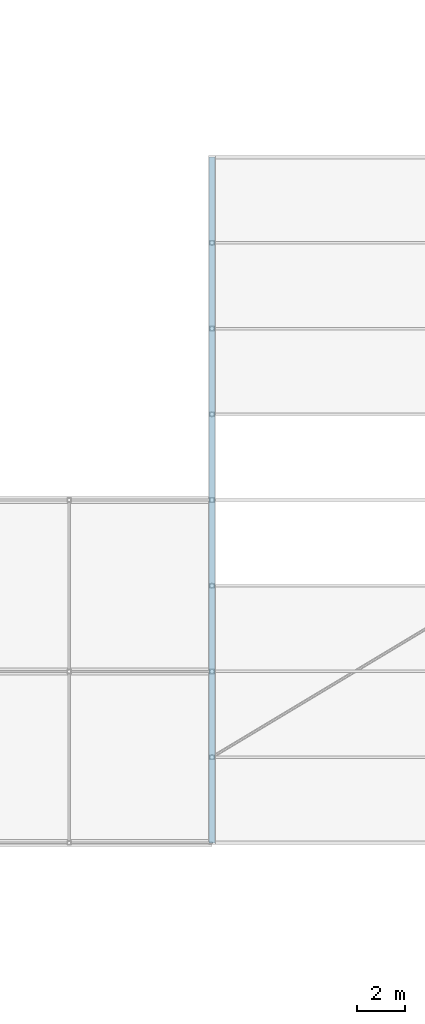
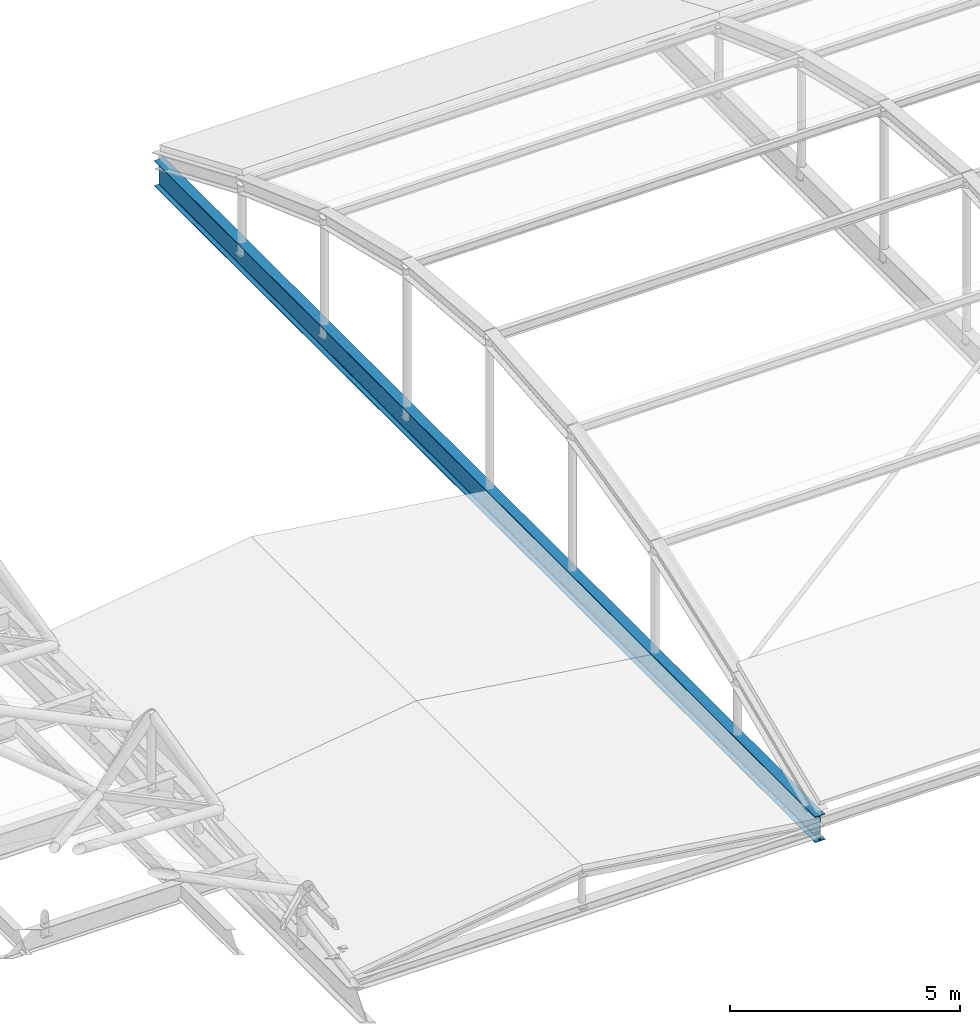
# One storey, part 147 of 239: 1 beam.
"""IFC4 building model written with IfcOpenShell, lengths in metres."""

from ifc_helpers import new_model, si_unit, direction, frame, origin, origin_2d, place, context, subcontext, project, spatial, i_section, extrude, material, material_profile, profile_set, type_object, element, save


model = new_model("IFC4")

# Units and contexts
model_context = context("Model", 3, precision=1e-05, world=origin(), true_north=direction((0.0, 1.0)))
body_context = subcontext(model_context, "Body", "Model", "MODEL_VIEW")
ifc_project = project(units=[si_unit("LENGTHUNIT", "METRE"), si_unit("AREAUNIT", "SQUARE_METRE"), si_unit("VOLUMEUNIT", "CUBIC_METRE"), si_unit("PLANEANGLEUNIT", "RADIAN"), si_unit("MASSUNIT", "GRAM", prefix="KILO")], contexts=[model_context])

# Site, building, storey
site_placement = place(None, origin())
site = spatial("IfcSite", under=ifc_project, at=site_placement, CompositionType="ELEMENT")
building_placement = place(site_placement, origin())
building = spatial("IfcBuilding", under=site, at=building_placement, Name="Dunvalen Ferry Terminal", CompositionType="ELEMENT")
storey_placement = place(building_placement, frame((0.0, 0.0, 9.840087890625)))
storey = spatial("IfcBuildingStorey", under=building, at=storey_placement, Name="L02", CompositionType="ELEMENT", Elevation=9.840087890625)

# Beam
ifc_material = material(Name="Steel S355", Category="steel")
ifc_material_profile = material_profile(ifc_material, i_section(OverallWidth=0.253662109375, OverallDepth=0.68359375, WebThickness=0.012451171875, FlangeThickness=0.01904296875, FilletRadius=0.01513671875, at=origin_2d()), Name="Steel S355")
ifc_profile_set = profile_set([ifc_material_profile], Name="Steel S355")
beam_type = type_object("IfcBeamType", Name="STR-BM-UKB686", PredefinedType="BEAM", material=ifc_profile_set)
beam_placement = place(storey_placement, frame((108.0, 57.60009765625, -0.340087890625), z_axis=(0.0, 1.0, 0.0), x_axis=(-1.0, 0.0, 0.0)))
element("IfcBeam", 1, at=beam_placement, inside=storey, type_object=beam_type, Name="Arrivals Hall Barrel-Vault Tie Girder 01", PredefinedType="BEAM", context=body_context, shape_type="SweptSolid", body=[
    extrude(i_section(OverallWidth=0.253662109375, OverallDepth=0.68359375, WebThickness=0.012451171875, FlangeThickness=0.01904296875, FilletRadius=0.01513671875, at=origin_2d()), origin(), (0.0, 0.0, 1.0), 28.7998046875),
])

save(model, "model.ifc")
